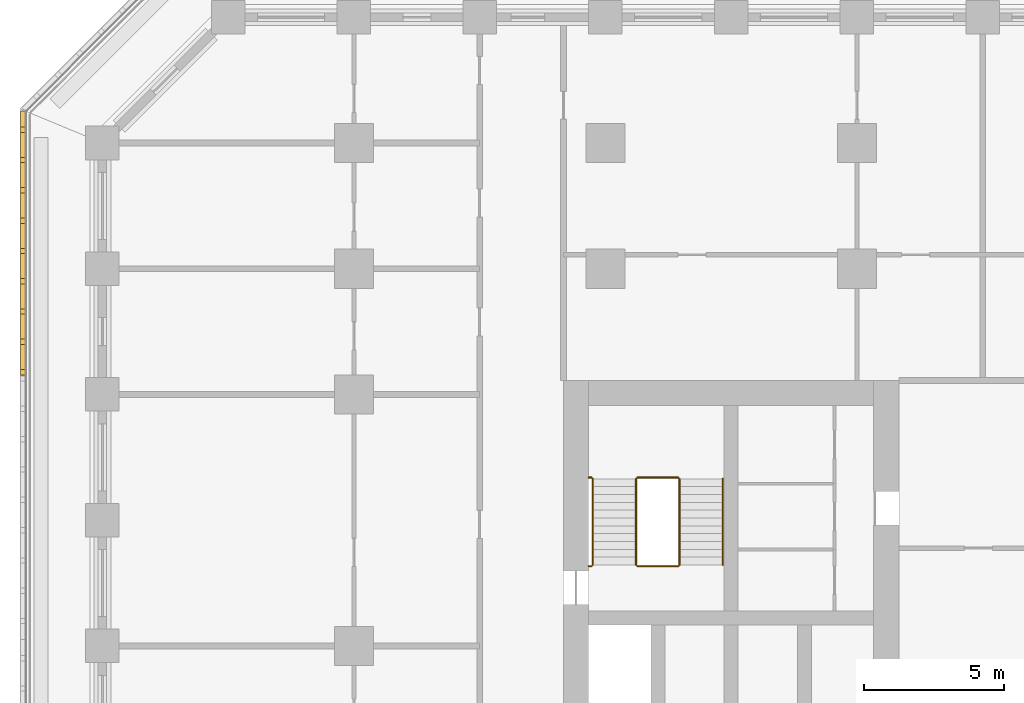
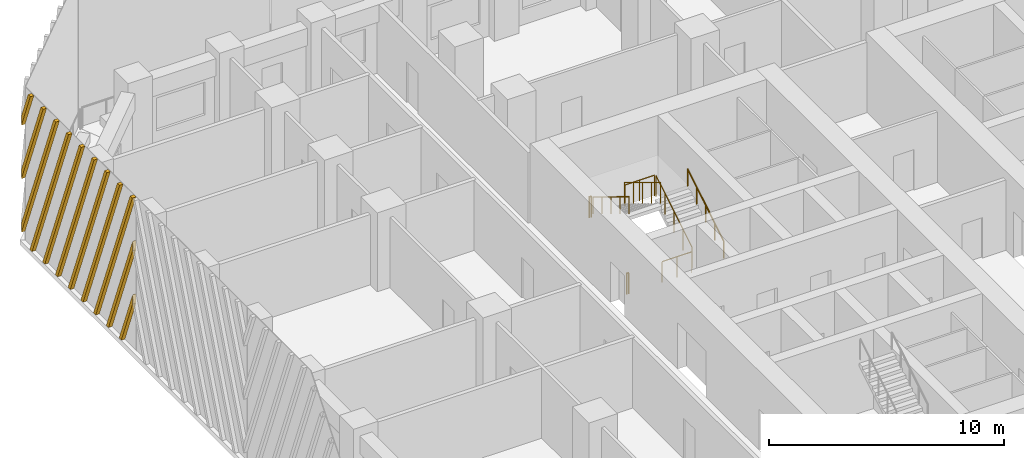
# One storey, part 15 of 19: 8 railings, 1 shading device.
"""IFC4 building model written with IfcOpenShell, lengths in metres."""

from ifc_helpers import new_model, si_unit, direction, frame, origin, origin_2d, place, context, subcontext, project, spatial, polyline, circle, outline, extrude, source, transform, mapped, material, type_object, element, save


model = new_model("IFC4")

# Units and contexts
model_context = context("Model", 3, precision=1e-05, world=origin(), true_north=direction((0.0, 1.0)))
body_context = subcontext(model_context, "Body", "Model", "MODEL_VIEW")
ifc_project = project(units=[si_unit("LENGTHUNIT", "METRE"), si_unit("AREAUNIT", "SQUARE_METRE"), si_unit("VOLUMEUNIT", "CUBIC_METRE"), si_unit("PLANEANGLEUNIT", "RADIAN"), si_unit("MASSUNIT", "GRAM", prefix="KILO")], contexts=[model_context])

# Site, building, storey
site_placement = place(None, origin())
site = spatial("IfcSite", under=ifc_project, at=site_placement, CompositionType="ELEMENT")
building_placement = place(site_placement, origin())
building = spatial("IfcBuilding", under=site, at=building_placement, Name="Corbel Stack Research Tower", CompositionType="ELEMENT")
storey_placement = place(building_placement, frame((0.0, 0.0, 133.10009765625)))
storey = spatial("IfcBuildingStorey", under=building, at=storey_placement, Name="L30", CompositionType="ELEMENT", Elevation=133.10009765625)

# Railings
ifc_material_1 = material(Name="Steel S355", Category="steel")
railing_type_1 = type_object("IfcRailingType", Name="Stair guard 1100", PredefinedType="GUARDRAIL", material=ifc_material_1)
railing_1_placement = place(storey_placement, frame((-6.35009765625, 11.89990234375, 0.170654296875)))
element("IfcRailing", 1, at=railing_1_placement, inside=storey, type_object=railing_type_1, Name="L30 ST-W2 stair guard 1", PredefinedType="GUARDRAIL", context=body_context, shape_type="SweptSolid", body=[
    extrude(circle(Radius=0.02392578125, at=origin_2d()), frame((0.0, 0.0, 1.076171875), z_axis=(0.0, 0.853666305674, 0.52082035152), x_axis=(-1.0, 0.0, 0.0)), (0.0, 0.0, 1.0), 3.608154296875),
    extrude(circle(Radius=0.02099609375, at=origin_2d()), origin(), (0.0, 0.0, 1.0), 1.052001953125),
    extrude(circle(Radius=0.02099609375, at=origin_2d()), frame((0.0, 0.77001953125, 0.4697265625)), (0.0, 0.0, 1.0), 1.052001953125),
    extrude(circle(Radius=0.02099609375, at=origin_2d()), frame((0.0, 1.5400390625, 0.939453125)), (0.0, 0.0, 1.0), 1.052001953125),
    extrude(circle(Radius=0.02099609375, at=origin_2d()), frame((0.0, 2.31005859375, 1.409423828125)), (0.0, 0.0, 1.0), 1.052001953125),
    extrude(circle(Radius=0.02099609375, at=origin_2d()), frame((0.0, 3.080078125, 1.879150390625)), (0.0, 0.0, 1.0), 1.052001953125),
])
railing_2_placement = place(storey_placement, frame((-6.39990234375, 15.030029296875, 2.0498046875)))
element("IfcRailing", 2, at=railing_2_placement, inside=storey, type_object=railing_type_1, Name="L30 ST-W2 stair guard 2", PredefinedType="GUARDRAIL", context=body_context, shape_type="SweptSolid", body=[
    extrude(circle(Radius=0.02392578125, at=origin_2d()), frame((0.0, 0.0, 1.076171875), z_axis=(-1.0, 0.0, 0.0), x_axis=(0.0, -1.0, 0.0)), (0.0, 0.0, 1.0), 1.4501953125),
    extrude(circle(Radius=0.02099609375, at=origin_2d()), origin(), (0.0, 0.0, 1.0), 1.052001953125),
    extrude(circle(Radius=0.02099609375, at=origin_2d()), frame((-0.72509765625, 0.0, 0.0)), (0.0, 0.0, 1.0), 1.052001953125),
    extrude(circle(Radius=0.02099609375, at=origin_2d()), frame((-1.4501953125, 0.0, 0.0)), (0.0, 0.0, 1.0), 1.052001953125),
])
railing_3_placement = place(storey_placement, frame((-9.5, 15.030029296875, 2.0498046875)))
element("IfcRailing", 3, at=railing_3_placement, inside=storey, type_object=railing_type_1, Name="L30 ST-W2 stair guard 3", PredefinedType="GUARDRAIL", context=body_context, shape_type="SweptSolid", body=[
    extrude(circle(Radius=0.02392578125, at=origin_2d()), frame((0.0, 0.0, 1.076171875), z_axis=(-1.0, 0.0, 0.0), x_axis=(0.0, -1.0, 0.0)), (0.0, 0.0, 1.0), 0.10009765625),
    extrude(circle(Radius=0.02099609375, at=origin_2d()), origin(), (0.0, 0.0, 1.0), 1.052001953125),
    extrude(circle(Radius=0.02099609375, at=origin_2d()), frame((-0.10009765625, 0.0, 0.0)), (0.0, 0.0, 1.0), 1.052001953125),
])
railing_4_placement = place(storey_placement, frame((-7.89990234375, 14.97998046875, 2.220703125)))
element("IfcRailing", 4, at=railing_4_placement, inside=storey, type_object=railing_type_1, Name="L30 ST-W2 stair guard 4", PredefinedType="GUARDRAIL", context=body_context, shape_type="SweptSolid", body=[
    extrude(circle(Radius=0.02392578125, at=origin_2d()), frame((0.0, 0.0, 1.076171875), z_axis=(0.0, -0.853666305674, 0.52082035152), x_axis=(1.0, 0.0, 0.0)), (0.0, 0.0, 1.0), 3.608154296875),
    extrude(circle(Radius=0.02099609375, at=origin_2d()), origin(), (0.0, 0.0, 1.0), 1.052001953125),
    extrude(circle(Radius=0.02099609375, at=origin_2d()), frame((0.0, -0.77001953125, 0.4697265625)), (0.0, 0.0, 1.0), 1.052001953125),
    extrude(circle(Radius=0.02099609375, at=origin_2d()), frame((0.0, -1.5400390625, 0.939453125)), (0.0, 0.0, 1.0), 1.052001953125),
    extrude(circle(Radius=0.02099609375, at=origin_2d()), frame((0.0, -2.31005859375, 1.409423828125)), (0.0, 0.0, 1.0), 1.052001953125),
    extrude(circle(Radius=0.02099609375, at=origin_2d()), frame((0.0, -3.080078125, 1.879150390625)), (0.0, 0.0, 1.0), 1.052001953125),
])
railing_5_placement = place(storey_placement, frame((-6.39990234375, 11.85009765625, 0.0)))
element("IfcRailing", 5, at=railing_5_placement, inside=storey, type_object=railing_type_1, Name="L30 ST-W2 stair guard 5", PredefinedType="GUARDRAIL", context=body_context, shape_type="SweptSolid", body=[
    extrude(circle(Radius=0.02392578125, at=origin_2d()), frame((0.0, 0.0, 1.076171875), z_axis=(-1.0, 0.0, 0.0), x_axis=(0.0, -1.0, 0.0)), (0.0, 0.0, 1.0), 1.4501953125),
    extrude(circle(Radius=0.02099609375, at=origin_2d()), origin(), (0.0, 0.0, 1.0), 1.052001953125),
    extrude(circle(Radius=0.02099609375, at=origin_2d()), frame((-0.72509765625, 0.0, 0.0)), (0.0, 0.0, 1.0), 1.052001953125),
    extrude(circle(Radius=0.02099609375, at=origin_2d()), frame((-1.4501953125, 0.0, 0.0)), (0.0, 0.0, 1.0), 1.052001953125),
])
railing_6_placement = place(storey_placement, frame((-9.5, 11.85009765625, 0.0)))
element("IfcRailing", 6, at=railing_6_placement, inside=storey, type_object=railing_type_1, Name="L30 ST-W2 stair guard 6", PredefinedType="GUARDRAIL", context=body_context, shape_type="SweptSolid", body=[
    extrude(circle(Radius=0.02392578125, at=origin_2d()), frame((0.0, 0.0, 1.076171875), z_axis=(-1.0, 0.0, 0.0), x_axis=(0.0, -1.0, 0.0)), (0.0, 0.0, 1.0), 0.10009765625),
    extrude(circle(Radius=0.02099609375, at=origin_2d()), origin(), (0.0, 0.0, 1.0), 1.052001953125),
    extrude(circle(Radius=0.02099609375, at=origin_2d()), frame((-0.10009765625, 0.0, 0.0)), (0.0, 0.0, 1.0), 1.052001953125),
])
ifc_material_2 = material(Name="Steel S355", Category="steel")
railing_type_2 = type_object("IfcRailingType", Name="Stair handrail 900", PredefinedType="HANDRAIL", material=ifc_material_2)
railing_7_placement = place(storey_placement, frame((-4.800048828125, 11.89990234375, 0.170654296875)))
element("IfcRailing", 7, at=railing_7_placement, inside=storey, type_object=railing_type_2, Name="L30 ST-W2 stair handrail 1", PredefinedType="HANDRAIL", context=body_context, shape_type="SweptSolid", body=[
    extrude(circle(Radius=0.02392578125, at=origin_2d()), frame((0.0, 0.0, 0.8759765625), z_axis=(0.0, 0.853666305674, 0.52082035152), x_axis=(-1.0, 0.0, 0.0)), (0.0, 0.0, 1.0), 3.608154296875),
    extrude(circle(Radius=0.02099609375, at=origin_2d()), origin(), (0.0, 0.0, 1.0), 0.851806640625),
    extrude(circle(Radius=0.02099609375, at=origin_2d()), frame((0.0, 0.77001953125, 0.4697265625)), (0.0, 0.0, 1.0), 0.851806640625),
    extrude(circle(Radius=0.02099609375, at=origin_2d()), frame((0.0, 1.5400390625, 0.939453125)), (0.0, 0.0, 1.0), 0.851806640625),
    extrude(circle(Radius=0.02099609375, at=origin_2d()), frame((0.0, 2.31005859375, 1.409423828125)), (0.0, 0.0, 1.0), 0.851806640625),
    extrude(circle(Radius=0.02099609375, at=origin_2d()), frame((0.0, 3.080078125, 1.879150390625)), (0.0, 0.0, 1.0), 0.851806640625),
])
railing_8_placement = place(storey_placement, frame((-9.449951171875, 14.97998046875, 2.220703125)))
element("IfcRailing", 8, at=railing_8_placement, inside=storey, type_object=railing_type_2, Name="L30 ST-W2 stair handrail 2", PredefinedType="HANDRAIL", context=body_context, shape_type="SweptSolid", body=[
    extrude(circle(Radius=0.02392578125, at=origin_2d()), frame((0.0, 0.0, 0.8759765625), z_axis=(0.0, -0.853666305674, 0.52082035152), x_axis=(1.0, 0.0, 0.0)), (0.0, 0.0, 1.0), 3.608154296875),
    extrude(circle(Radius=0.02099609375, at=origin_2d()), origin(), (0.0, 0.0, 1.0), 0.851806640625),
    extrude(circle(Radius=0.02099609375, at=origin_2d()), frame((0.0, -0.77001953125, 0.4697265625)), (0.0, 0.0, 1.0), 0.851806640625),
    extrude(circle(Radius=0.02099609375, at=origin_2d()), frame((0.0, -1.5400390625, 0.939453125)), (0.0, 0.0, 1.0), 0.851806640625),
    extrude(circle(Radius=0.02099609375, at=origin_2d()), frame((0.0, -2.31005859375, 1.409423828125)), (0.0, 0.0, 1.0), 0.851806640625),
    extrude(circle(Radius=0.02099609375, at=origin_2d()), frame((0.0, -3.080078125, 1.879150390625)), (0.0, 0.0, 1.0), 0.851806640625),
])

# Shading device
ifc_material_3 = material(Name="Precast terracotta", Category="masonry")
shading_device_type = type_object("IfcShadingDeviceType", Name="Terracotta screen panel", PredefinedType="USERDEFINED", material=ifc_material_3)
shared_shape = source(origin(), body_context, "Body", "SweptSolid", [
    extrude(outline(polyline([(0.759521484375, 7.949951171875), (0.5693359375, 7.949951171875), (0.0, 6.4921875), (0.0, 6.005615234375), (0.759521484375, 7.949951171875)])), frame((0.0, 0.0, 0.0), z_axis=(0.0, -1.0, 0.0), x_axis=(1.0, 0.0, 0.0)), (0.0, 0.0, 1.0), 0.179931640625),
    extrude(outline(polyline([(1.843994140625, 7.949951171875), (1.654052734375, 7.949951171875), (0.0, 3.71484375), (0.0, 3.228515625), (1.843994140625, 7.949951171875)])), frame((0.0, 0.0, 0.0), z_axis=(0.0, -1.0, 0.0), x_axis=(1.0, 0.0, 0.0)), (0.0, 0.0, 1.0), 0.179931640625),
    extrude(outline(polyline([(2.9287109375, 7.949951171875), (2.73876953125, 7.949951171875), (0.0, 0.9375), (0.0, 0.451171875), (2.9287109375, 7.949951171875)])), frame((0.0, 0.0, 0.0), z_axis=(0.0, -1.0, 0.0), x_axis=(1.0, 0.0, 0.0)), (0.0, 0.0, 1.0), 0.179931640625),
    extrude(outline(polyline([(0.908447265625, 0.0), (4.013427734375, 7.949951171875), (3.823486328125, 7.949951171875), (0.718505859375, 0.0), (0.908447265625, 0.0)])), frame((0.0, 0.0, 0.0), z_axis=(0.0, -1.0, 0.0), x_axis=(1.0, 0.0, 0.0)), (0.0, 0.0, 1.0), 0.179931640625),
    extrude(outline(polyline([(1.9931640625, 0.0), (5.097900390625, 7.949951171875), (4.907958984375, 7.949951171875), (1.80322265625, 0.0), (1.9931640625, 0.0)])), frame((0.0, 0.0, 0.0), z_axis=(0.0, -1.0, 0.0), x_axis=(1.0, 0.0, 0.0)), (0.0, 0.0, 1.0), 0.179931640625),
    extrude(outline(polyline([(3.077880859375, 0.0), (6.1826171875, 7.949951171875), (5.99267578125, 7.949951171875), (2.8876953125, 0.0), (3.077880859375, 0.0)])), frame((0.0, 0.0, 0.0), z_axis=(0.0, -1.0, 0.0), x_axis=(1.0, 0.0, 0.0)), (0.0, 0.0, 1.0), 0.179931640625),
    extrude(outline(polyline([(4.16259765625, 0.0), (7.267333984375, 7.949951171875), (7.077392578125, 7.949951171875), (3.972412109375, 0.0), (4.16259765625, 0.0)])), frame((0.0, 0.0, 0.0), z_axis=(0.0, -1.0, 0.0), x_axis=(1.0, 0.0, 0.0)), (0.0, 0.0, 1.0), 0.179931640625),
    extrude(outline(polyline([(5.247314453125, 0.0), (8.35205078125, 7.949951171875), (8.162109375, 7.949951171875), (5.05712890625, 0.0), (5.247314453125, 0.0)])), frame((0.0, 0.0, 0.0), z_axis=(0.0, -1.0, 0.0), x_axis=(1.0, 0.0, 0.0)), (0.0, 0.0, 1.0), 0.179931640625),
    extrude(outline(polyline([(6.331787109375, 0.0), (9.436767578125, 7.949951171875), (9.24658203125, 7.949951171875), (6.141845703125, 0.0), (6.331787109375, 0.0)])), frame((0.0, 0.0, 0.0), z_axis=(0.0, -1.0, 0.0), x_axis=(1.0, 0.0, 0.0)), (0.0, 0.0, 1.0), 0.179931640625),
    extrude(outline(polyline([(7.41650390625, 0.0), (9.45556640625, 5.22119140625), (9.45556640625, 5.707763671875), (7.2265625, 0.0), (7.41650390625, 0.0)])), frame((0.0, 0.0, 0.0), z_axis=(0.0, -1.0, 0.0), x_axis=(1.0, 0.0, 0.0)), (0.0, 0.0, 1.0), 0.179931640625),
    extrude(outline(polyline([(8.501220703125, 0.0), (9.45556640625, 2.44384765625), (9.45556640625, 2.930419921875), (8.311279296875, 0.0), (8.501220703125, 0.0)])), frame((0.0, 0.0, 0.0), z_axis=(0.0, -1.0, 0.0), x_axis=(1.0, 0.0, 0.0)), (0.0, 0.0, 1.0), 0.179931640625),
])
shading_device_placement = place(storey_placement, frame((-29.75, 28.13916015625, 0.0), z_axis=(0.0, 0.0, 1.0), x_axis=(0.0, -1.0, 0.0)))
element("IfcShadingDevice", 9, at=shading_device_placement, inside=storey, type_object=shading_device_type, Name="Terracotta screen L30 W1", ObjectType="SCREEN", PredefinedType="USERDEFINED", context=body_context, shape_type="MappedRepresentation", body=[
    mapped(shared_shape, transform((0.0, 0.0, 0.0))),
])

save(model, "model.ifc")
